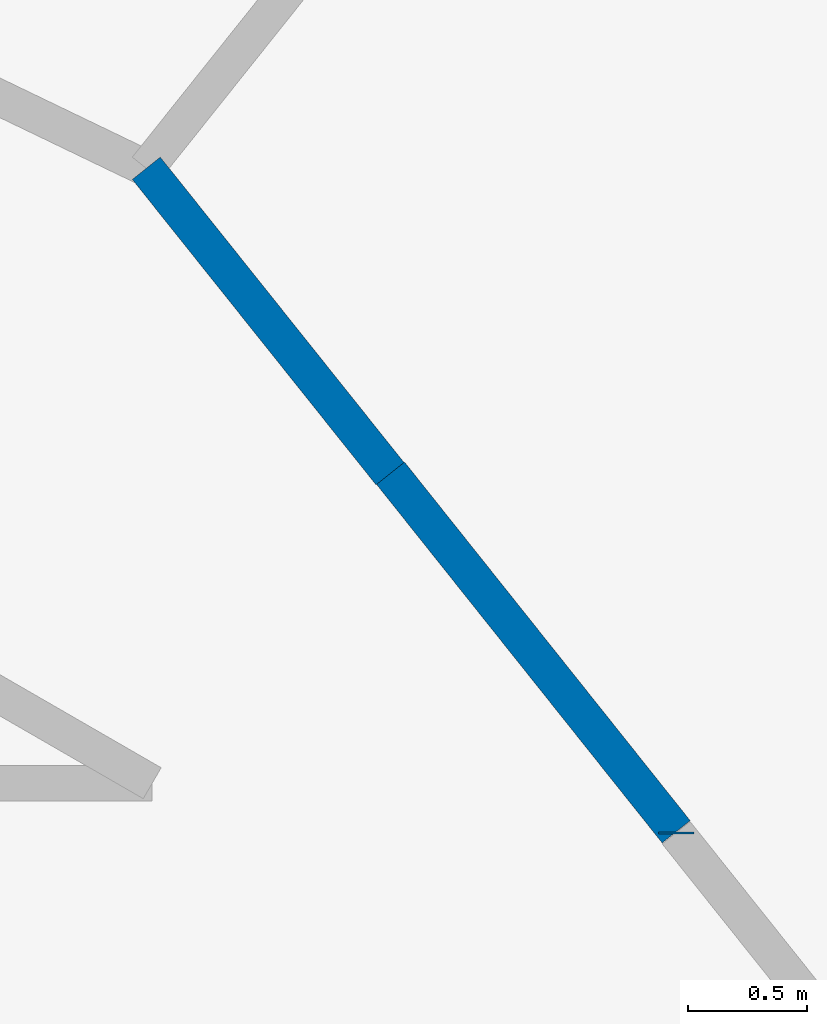
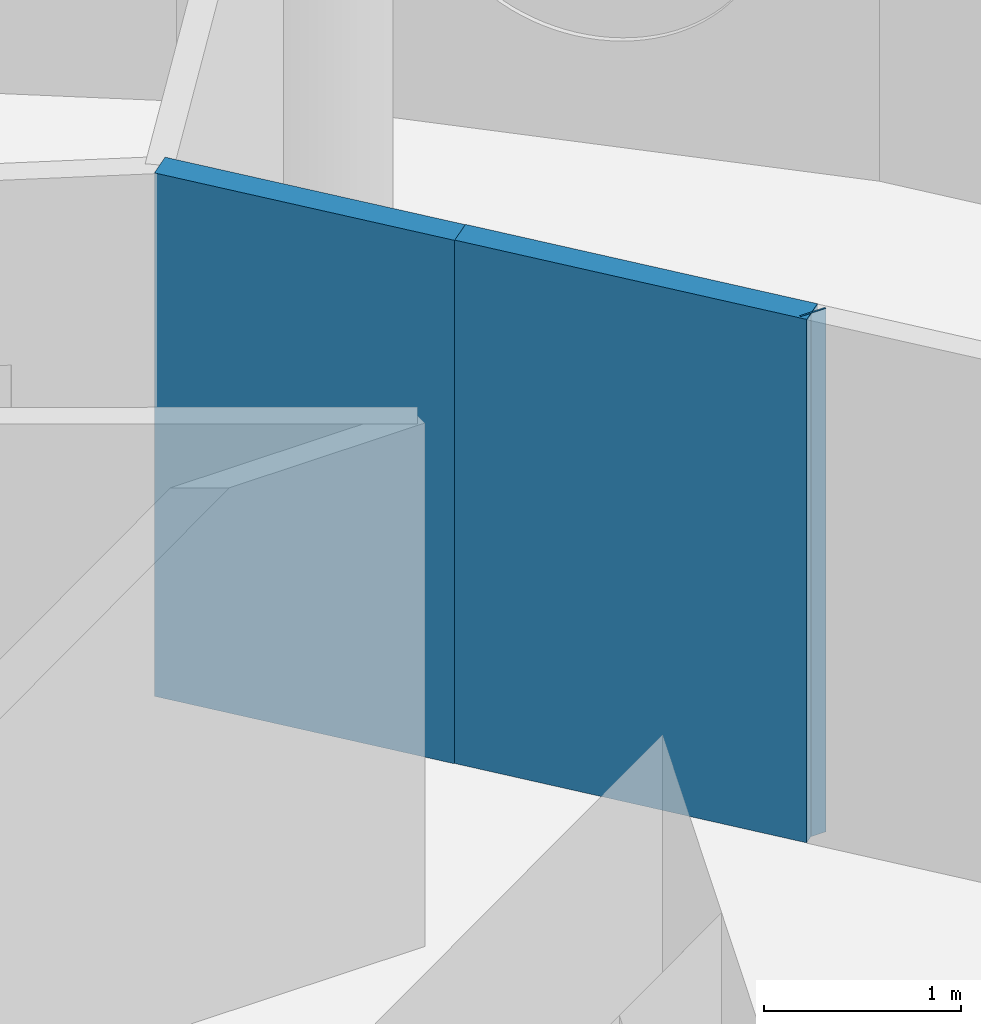
# One storey, part 8 of 12: 3 walls.
"""IFC4 building model written with IfcOpenShell, lengths in metres."""

from ifc_helpers import new_model, si_unit, direction, frame, frame_2d, origin, place, context, subcontext, project, spatial, rectangle, extrude, material, layer, layer_set, type_object, element, save


model = new_model("IFC4")

# Units and contexts
model_context = context("Model", 3, precision=1e-05, world=origin(), true_north=direction((0.0, 1.0)))
body_context = subcontext(model_context, "Body", "Model", "MODEL_VIEW")
ifc_project = project(units=[si_unit("LENGTHUNIT", "METRE"), si_unit("AREAUNIT", "SQUARE_METRE"), si_unit("VOLUMEUNIT", "CUBIC_METRE"), si_unit("PLANEANGLEUNIT", "RADIAN"), si_unit("MASSUNIT", "GRAM", prefix="KILO")], contexts=[model_context])

# Site, building, storey
site_placement = place(None, origin())
site = spatial("IfcSite", under=ifc_project, at=site_placement, CompositionType="ELEMENT")
building_placement = place(site_placement, origin())
building = spatial("IfcBuilding", under=site, at=building_placement, Name="Tracery Tower", CompositionType="ELEMENT")
storey_placement = place(building_placement, frame((0.0, 0.0, 249.0)))
storey = spatial("IfcBuildingStorey", under=building, at=storey_placement, Name="L64", CompositionType="ELEMENT", Elevation=249.0)

# Walls
ifc_material = material(Name="Plasterboard on steel studs", Category="steel")
ifc_layer = layer(ifc_material, 0.14990234375)
ifc_layer_set = layer_set([ifc_layer], Name="Partition 150 corridor wall")
wall_type = type_object("IfcWallType", Name="Partition 150 corridor wall", PredefinedType="PARTITIONING", material=ifc_layer_set)
wall_1_placement = place(storey_placement, frame((10.10107421875, 10.10107421875, 0.0), z_axis=(0.0, 0.0, 1.0), x_axis=(0.623130947784, -0.782117524362, 0.0)))
element("IfcWall", 1, at=wall_1_placement, inside=storey, type_object=wall_type, Name="Corridor wall RC2-005", PredefinedType="PARTITIONING", context=body_context, shape_type="SweptSolid", body=[
    extrude(rectangle(XDim=1.924072265625, YDim=0.14990234375, at=frame_2d((0.9619140625, 0.0))), origin(), (0.0, 0.0, 1.0), 3.25),
])
wall_2_placement = place(storey_placement, frame((11.300048828125, 8.5859375, 0.0), z_axis=(0.0, 0.0, 1.0), x_axis=(0.0, 1.0, 0.0)))
element("IfcWall", 2, at=wall_2_placement, inside=storey, type_object=wall_type, Name="Corridor wall RC2-007", PredefinedType="PARTITIONING", context=body_context, shape_type="SweptSolid", body=[
    extrude(rectangle(XDim=0.01025390625, YDim=0.14990234375, at=frame_2d((0.005126953125, 0.0))), origin(), (0.0, 0.0, 1.0), 3.25),
])
wall_3_placement = place(storey_placement, frame((9.075927734375, 11.381103515625, 0.0), z_axis=(0.0, 0.0, 1.0), x_axis=(0.623805208652, -0.781579849829, 0.0)))
element("IfcWall", 3, at=wall_3_placement, inside=storey, type_object=wall_type, Name="Corridor wall RC2-029", PredefinedType="PARTITIONING", context=body_context, shape_type="SweptSolid", body=[
    extrude(rectangle(XDim=1.64013671875, YDim=0.14990234375, at=frame_2d((0.820068359375, 0.0))), origin(), (0.0, 0.0, 1.0), 3.25),
])

save(model, "model.ifc")
